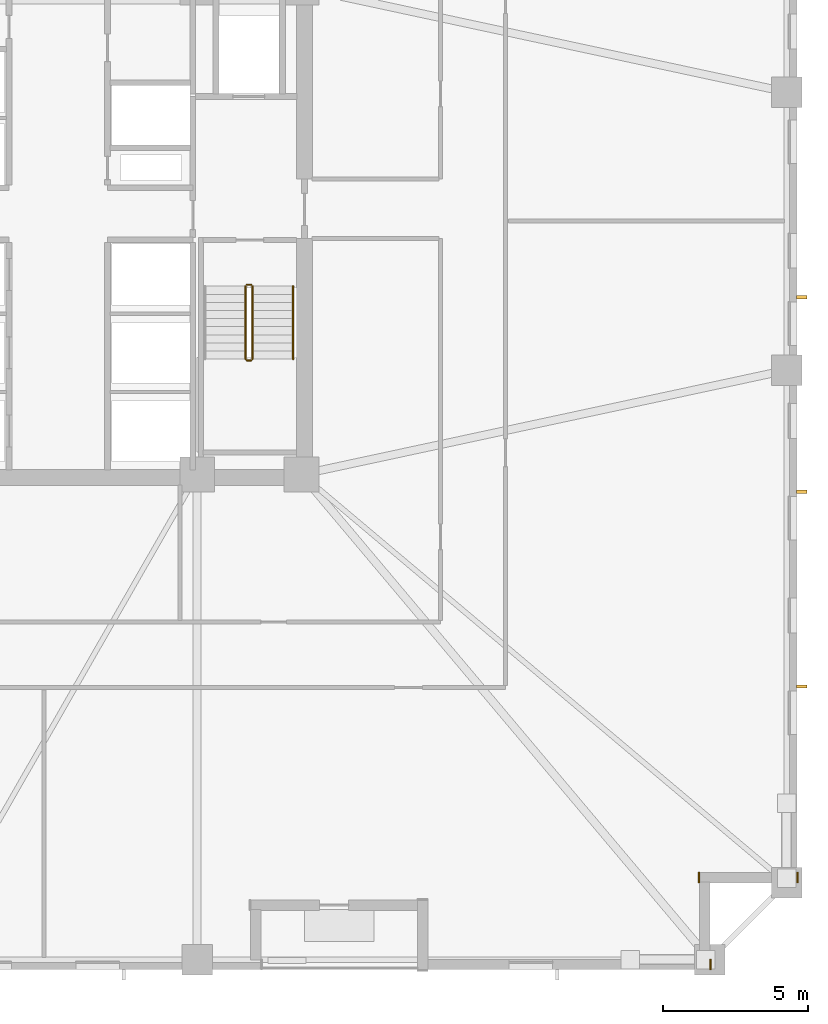
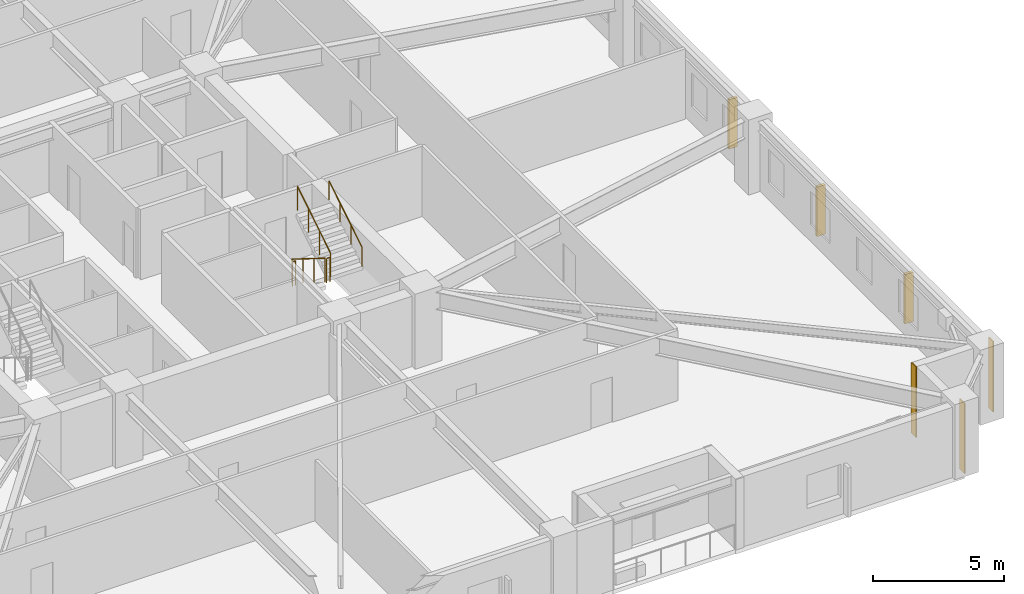
# One storey, part 9 of 11: 5 railings, 3 coverings, 3 shading devices.
"""IFC4 building model written with IfcOpenShell, lengths in metres."""

from ifc_helpers import new_model, si_unit, direction, frame, frame_2d, origin, origin_2d, place, context, subcontext, project, spatial, rectangle, circle, extrude, material, layer, layer_set, type_object, element, save


model = new_model("IFC4")

# Units and contexts
model_context = context("Model", 3, precision=1e-05, world=origin(), true_north=direction((0.0, 1.0)))
body_context = subcontext(model_context, "Body", "Model", "MODEL_VIEW")
ifc_project = project(units=[si_unit("LENGTHUNIT", "METRE"), si_unit("AREAUNIT", "SQUARE_METRE"), si_unit("VOLUMEUNIT", "CUBIC_METRE"), si_unit("PLANEANGLEUNIT", "RADIAN"), si_unit("MASSUNIT", "GRAM", prefix="KILO")], contexts=[model_context])

# Site, building, storey
site_placement = place(None, origin())
site = spatial("IfcSite", under=ifc_project, at=site_placement, CompositionType="ELEMENT")
building_placement = place(site_placement, origin())
building = spatial("IfcBuilding", under=site, at=building_placement, Name="Cairnveth Concourse Tower", CompositionType="ELEMENT")
storey_placement = place(building_placement, frame((0.0, 0.0, 51.5)))
storey = spatial("IfcBuildingStorey", under=building, at=storey_placement, Name="L13", CompositionType="ELEMENT", Elevation=51.5)

# Coverings
ifc_material_1 = material(Name="Dressed Melbourne Bluestone Cladding", Category="masonry")
ifc_layer = layer(ifc_material_1, 0.050048828125)
ifc_layer_set = layer_set([ifc_layer], Name="Dressed Melbourne Bluestone Cladding")
covering_type = type_object("IfcCoveringType", Name="DRESSED BLUESTONE PLINTH CLADDING 50", PredefinedType="CLADDING", material=ifc_layer_set)
for number, where, z_axis, x_axis, name in (
    (1, (77.52001953125, 16.860107421875, 0.0), (0.0, 0.0, 1.0), (0.0, -1.0, 0.0), "Melbourne Bluestone Corner Quoin L13-161"),
    (2, (74.1201171875, 16.860107421875, 0.0), (0.0, 0.0, 1.0), (0.0, -1.0, 0.0), "Melbourne Bluestone Corner Quoin L13-162"),
    (3, (74.52001953125, 13.860107421875, 0.0), (0.0, 0.0, 1.0), (0.0, -1.0, 0.0), "Melbourne Bluestone Corner Quoin L13-163"),
):
    element("IfcCovering", number, at=place(storey_placement, frame(where, z_axis=z_axis, x_axis=x_axis)), inside=storey, type_object=covering_type, Name=name, PredefinedType="CLADDING", context=body_context, shape_type="SweptSolid", body=[
        extrude(rectangle(XDim=0.360107421875, YDim=0.050048828125, at=frame_2d((0.18017578125, 0.0))), origin(), (0.0, 0.0, 1.0), 3.280029296875),
    ])

# Shading devices
ifc_material_2 = material(Name="Architectural Bronze Anodised Aluminium 6063-T6", Category="aluminium")
shading_device_type = type_object("IfcShadingDeviceType", Name="GOTHIC BRONZE VERTICAL LANCET FIN", PredefinedType="USERDEFINED", material=ifc_material_2)
for number, where, z_axis, x_axis, name in (
    (4, (77.675048828125, 36.71875, 0.02978515625), (0.0, 0.0, 1.0), (0.0, 1.0, 0.0), "Gothic Bronze Vertical Fin L13-9-7"),
    (5, (77.675048828125, 29.99853515625, 0.02978515625), (0.0, 0.0, 1.0), (0.0, 1.0, 0.0), "Gothic Bronze Vertical Fin L13-9-9"),
    (6, (77.675048828125, 23.278076171875, 0.02978515625), (0.0, 0.0, 1.0), (0.0, 1.0, 0.0), "Gothic Bronze Vertical Fin L13-9-11"),
):
    element("IfcShadingDevice", number, at=place(storey_placement, frame(where, z_axis=z_axis, x_axis=x_axis)), inside=storey, type_object=shading_device_type, Name=name, ObjectType="VERTICAL FIN", PredefinedType="USERDEFINED", context=body_context, shape_type="SweptSolid", body=[
        extrude(rectangle(XDim=0.1201171875, YDim=0.360107421875, at=origin_2d()), origin(), (0.0, 0.0, 1.0), 2.303955078125),
    ])

# Railings
ifc_material_3 = material(Name="Steel Grade 350", Category="steel")
railing_type_1 = type_object("IfcRailingType", Name="STAIR GUARDRAIL 1150", PredefinedType="GUARDRAIL", material=ifc_material_3)
railing_1_placement = place(storey_placement, frame((58.469970703125, 37.10009765625, 0.175048828125)))
element("IfcRailing", 7, at=railing_1_placement, inside=storey, type_object=railing_type_1, Name="L13 ST-2 stair guard 1", PredefinedType="GUARDRAIL", context=body_context, shape_type="SweptSolid", body=[
    extrude(circle(Radius=0.02392578125, at=origin_2d()), frame((0.0, 0.0, 1.1259765625), z_axis=(0.0, -0.848007534815, 0.529984170421), x_axis=(1.0, 0.0, 0.0)), (0.0, 0.0, 1.0), 2.9716796875),
    extrude(circle(Radius=0.02099609375, at=origin_2d()), origin(), (0.0, 0.0, 1.0), 1.101806640625),
    extrude(circle(Radius=0.02099609375, at=origin_2d()), frame((0.0, -0.840087890625, 0.52490234375)), (0.0, 0.0, 1.0), 1.101806640625),
    extrude(circle(Radius=0.02099609375, at=origin_2d()), frame((0.0, -1.679931640625, 1.050048828125)), (0.0, 0.0, 1.0), 1.101806640625),
    extrude(circle(Radius=0.02099609375, at=origin_2d()), frame((0.0, -2.52001953125, 1.574951171875)), (0.0, 0.0, 1.0), 1.101806640625),
])
railing_2_placement = place(storey_placement, frame((58.52001953125, 34.530029296875, 1.75)))
element("IfcRailing", 8, at=railing_2_placement, inside=storey, type_object=railing_type_1, Name="L13 ST-2 stair guard 2", PredefinedType="GUARDRAIL", context=body_context, shape_type="SweptSolid", body=[
    extrude(circle(Radius=0.02392578125, at=origin_2d()), frame((0.0, 0.0, 1.1259765625), z_axis=(1.0, 0.0, 0.0), x_axis=(0.0, 1.0, 0.0)), (0.0, 0.0, 1.0), 0.139892578125),
    extrude(circle(Radius=0.02099609375, at=origin_2d()), origin(), (0.0, 0.0, 1.0), 1.101806640625),
    extrude(circle(Radius=0.02099609375, at=origin_2d()), frame((0.139892578125, 0.0, 0.0)), (0.0, 0.0, 1.0), 1.101806640625),
])
railing_3_placement = place(storey_placement, frame((58.7099609375, 34.580078125, 1.925048828125)))
element("IfcRailing", 9, at=railing_3_placement, inside=storey, type_object=railing_type_1, Name="L13 ST-2 stair guard 3", PredefinedType="GUARDRAIL", context=body_context, shape_type="SweptSolid", body=[
    extrude(circle(Radius=0.02392578125, at=origin_2d()), frame((0.0, 0.0, 1.1259765625), z_axis=(0.0, 0.848007534815, 0.529984170421), x_axis=(-1.0, 0.0, 0.0)), (0.0, 0.0, 1.0), 2.9716796875),
    extrude(circle(Radius=0.02099609375, at=origin_2d()), origin(), (0.0, 0.0, 1.0), 1.101806640625),
    extrude(circle(Radius=0.02099609375, at=origin_2d()), frame((0.0, 0.840087890625, 0.52490234375)), (0.0, 0.0, 1.0), 1.101806640625),
    extrude(circle(Radius=0.02099609375, at=origin_2d()), frame((0.0, 1.679931640625, 1.050048828125)), (0.0, 0.0, 1.0), 1.101806640625),
    extrude(circle(Radius=0.02099609375, at=origin_2d()), frame((0.0, 2.52001953125, 1.574951171875)), (0.0, 0.0, 1.0), 1.101806640625),
])
railing_4_placement = place(storey_placement, frame((58.52001953125, 37.14990234375, 0.0)))
element("IfcRailing", 10, at=railing_4_placement, inside=storey, type_object=railing_type_1, Name="L13 ST-2 stair guard 4", PredefinedType="GUARDRAIL", context=body_context, shape_type="SweptSolid", body=[
    extrude(circle(Radius=0.02392578125, at=origin_2d()), frame((0.0, 0.0, 1.1259765625), z_axis=(1.0, 0.0, 0.0), x_axis=(0.0, 1.0, 0.0)), (0.0, 0.0, 1.0), 0.139892578125),
    extrude(circle(Radius=0.02099609375, at=origin_2d()), origin(), (0.0, 0.0, 1.0), 1.101806640625),
    extrude(circle(Radius=0.02099609375, at=origin_2d()), frame((0.139892578125, 0.0, 0.0)), (0.0, 0.0, 1.0), 1.101806640625),
])
railing_type_2 = type_object("IfcRailingType", Name="STAIR WALL HANDRAIL 900", PredefinedType="HANDRAIL", material=ifc_material_3)
railing_5_placement = place(storey_placement, frame((60.110107421875, 34.580078125, 1.925048828125)))
element("IfcRailing", 11, at=railing_5_placement, inside=storey, type_object=railing_type_2, Name="L13 ST-2 stair handrail 2", PredefinedType="HANDRAIL", context=body_context, shape_type="SweptSolid", body=[
    extrude(circle(Radius=0.02392578125, at=origin_2d()), frame((0.0, 0.0, 0.8759765625), z_axis=(0.0, 0.848007534815, 0.529984170421), x_axis=(-1.0, 0.0, 0.0)), (0.0, 0.0, 1.0), 2.9716796875),
    extrude(circle(Radius=0.02099609375, at=origin_2d()), origin(), (0.0, 0.0, 1.0), 0.851806640625),
    extrude(circle(Radius=0.02099609375, at=origin_2d()), frame((0.0, 0.840087890625, 0.52490234375)), (0.0, 0.0, 1.0), 0.851806640625),
    extrude(circle(Radius=0.02099609375, at=origin_2d()), frame((0.0, 1.679931640625, 1.050048828125)), (0.0, 0.0, 1.0), 0.851806640625),
    extrude(circle(Radius=0.02099609375, at=origin_2d()), frame((0.0, 2.52001953125, 1.574951171875)), (0.0, 0.0, 1.0), 0.851806640625),
])

save(model, "model.ifc")
